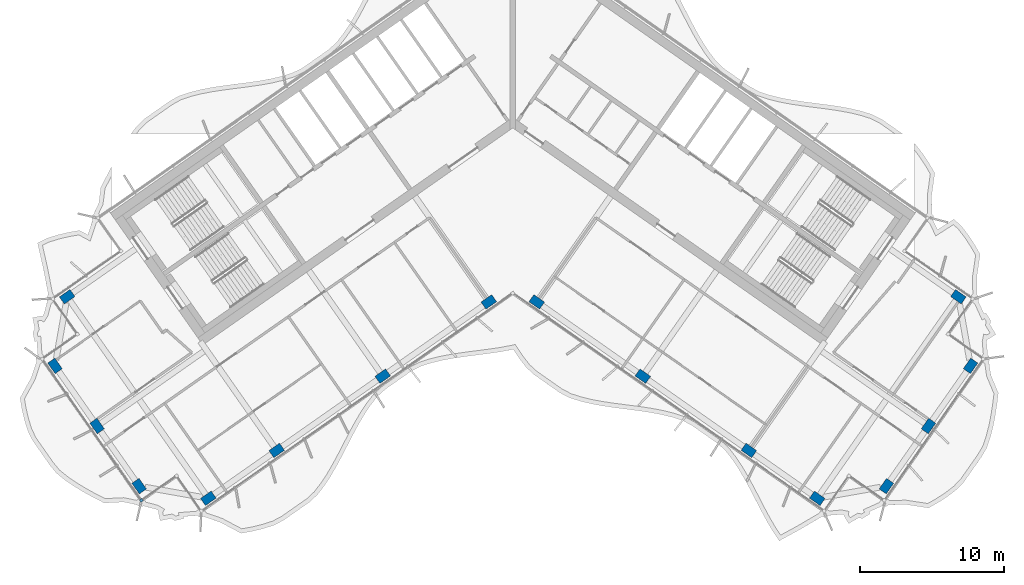
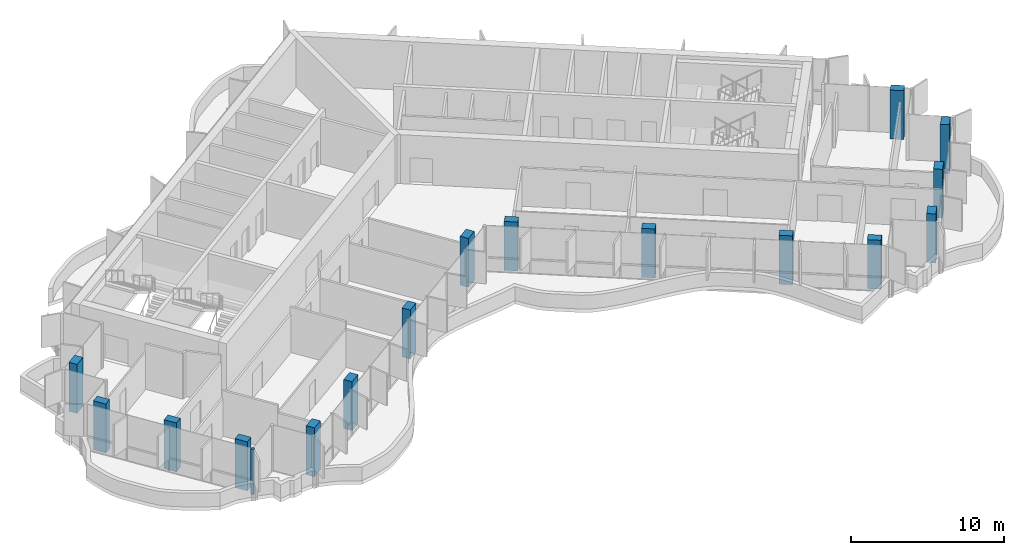
# One storey, part 1 of 20: 16 columns, 1 member, 1 element without a shape of its own.
"""IFC4 building model written with IfcOpenShell, lengths in metres."""

from ifc_helpers import new_model, si_unit, direction, frame, origin, origin_2d, place, context, subcontext, project, spatial, rectangle, extrude, material, material_profile, profile_set, type_object, element, aggregate, save


model = new_model("IFC4")

# Units and contexts
model_context = context("Model", 3, precision=1e-05, world=origin(), true_north=direction((0.0, 1.0)))
body_context = subcontext(model_context, "Body", "Model", "MODEL_VIEW")
ifc_project = project(units=[si_unit("LENGTHUNIT", "METRE"), si_unit("AREAUNIT", "SQUARE_METRE"), si_unit("VOLUMEUNIT", "CUBIC_METRE"), si_unit("PLANEANGLEUNIT", "RADIAN"), si_unit("MASSUNIT", "GRAM", prefix="KILO")], contexts=[model_context])

# Site, building, storey
site_placement = place(None, origin())
site = spatial("IfcSite", under=ifc_project, at=site_placement, CompositionType="ELEMENT")
building_placement = place(site_placement, origin())
building = spatial("IfcBuilding", under=site, at=building_placement, Name="Tel Ilan Convention Tower", CompositionType="ELEMENT")
storey_placement = place(building_placement, frame((0.0, 0.0, 237.10009765625)))
storey = spatial("IfcBuildingStorey", under=building, at=storey_placement, Name="L55", CompositionType="ELEMENT", Elevation=237.10009765625)

# Columns
ifc_material_1 = material(Name="Concrete C40/50", Category="concrete")
ifc_material_profile_1 = material_profile(ifc_material_1, rectangle(XDim=0.89990234375, YDim=0.60009765625, at=origin_2d()), Name="RC 600x900")
ifc_profile_set_1 = profile_set([ifc_material_profile_1], Name="Concrete C40/50")
column_type = type_object("IfcColumnType", Name="Column RC 600x900 C40/50", PredefinedType="COLUMN", material=ifc_profile_set_1)
for number, where, z_axis, x_axis, name in (
    (1, (-1.665283203125, -13.312744140625, 0.0), (0.0, 0.0, 1.0), (-0.819152044289, -0.573576436351, 0.0), "L55 column W-F1"),
    (2, (-9.03759765625, -18.474853515625, 0.0), (0.0, 0.0, 1.0), (-0.819152044289, -0.573576436351, 0.0), "L55 column W-F2"),
    (3, (-16.409912109375, -23.63720703125, 0.0), (0.0, 0.0, 1.0), (-0.819152044289, -0.573576436351, 0.0), "L55 column W-F3"),
    (4, (-21.1611328125, -26.9638671875, 0.0), (0.0, 0.0, 1.0), (-0.819152044289, -0.573576436351, 0.0), "L55 column W-FC"),
    (5, (-30.96923828125, -12.956298828125, 0.0), (0.0, 0.0, 1.0), (-0.819152044289, -0.573576436351, 0.0), "L55 column W-BC"),
    (6, (-25.966064453125, -26.11669921875, 0.0), (0.0, 0.0, 1.0), (-0.573576436351, 0.819152044289, 0.0), "L55 column W-E1"),
    (7, (-28.891357421875, -21.93896484375, 0.0), (0.0, 0.0, 1.0), (-0.573576436351, 0.819152044289, 0.0), "L55 column W-E2"),
    (8, (-31.81640625, -17.76123046875, 0.0), (0.0, 0.0, 1.0), (-0.573576436351, 0.819152044289, 0.0), "L55 column W-E3"),
    (9, (1.665283203125, -13.312744140625, 0.0), (0.0, 0.0, 1.0), (0.819152044289, -0.573576436351, 0.0), "L55 column E-F1"),
    (10, (9.03759765625, -18.474853515625, 0.0), (0.0, 0.0, 1.0), (0.819152044289, -0.573576436351, 0.0), "L55 column E-F2"),
    (11, (16.409912109375, -23.63720703125, 0.0), (0.0, 0.0, 1.0), (0.819152044289, -0.573576436351, 0.0), "L55 column E-F3"),
    (12, (21.1611328125, -26.9638671875, 0.0), (0.0, 0.0, 1.0), (0.819152044289, -0.573576436351, 0.0), "L55 column E-FC"),
    (13, (30.96923828125, -12.956298828125, 0.0), (0.0, 0.0, 1.0), (0.819152044289, -0.573576436351, 0.0), "L55 column E-BC"),
    (14, (25.966064453125, -26.11669921875, 0.0), (0.0, 0.0, 1.0), (0.573576436351, 0.819152044289, 0.0), "L55 column E-E1"),
    (15, (28.891357421875, -21.93896484375, 0.0), (0.0, 0.0, 1.0), (0.573576436351, 0.819152044289, 0.0), "L55 column E-E2"),
    (16, (31.81640625, -17.76123046875, 0.0), (0.0, 0.0, 1.0), (0.573576436351, 0.819152044289, 0.0), "L55 column E-E3"),
):
    element("IfcColumn", number, at=place(storey_placement, frame(where, z_axis=z_axis, x_axis=x_axis)), inside=storey, type_object=column_type, Name=name, PredefinedType="COLUMN", context=body_context, shape_type="SweptSolid", body=[
        extrude(rectangle(XDim=0.89990234375, YDim=0.60009765625, at=origin_2d()), origin(), (0.0, 0.0, 1.0), 3.89990234375),
    ])

# Curtain wall, member
ifc_material_2 = material(Name="Aluminium, bronze anodised", Category="aluminium")
curtain_wall_type = type_object("IfcCurtainWallType", Name="CW5 STICK CURTAIN WALL, UPPER OFFICE LOW-IRON TINTED GLASS", PredefinedType="NOTDEFINED", material=ifc_material_2)
curtain_wall_placement = place(storey_placement, origin())
curtain_wall = element("IfcCurtainWall", 17, at=curtain_wall_placement, inside=storey, type_object=curtain_wall_type, Name="Curtain wall CW5-42.02", PredefinedType="NOTDEFINED")
ifc_material_3 = material(Name="Aluminium, bronze anodised", Category="aluminium")
ifc_material_profile_2 = material_profile(ifc_material_3, rectangle(XDim=0.199951171875, YDim=0.199951171875, at=origin_2d()), Name="CW CORNER MULLION 200x200")
ifc_profile_set_2 = profile_set([ifc_material_profile_2], Name="Aluminium, bronze anodised")
member_type = type_object("IfcMemberType", Name="CW CORNER MULLION 200x200", PredefinedType="MULLION", material=ifc_profile_set_2)
member_placement = place(storey_placement, frame((-25.818359375, -27.112060546875, 0.0), z_axis=(0.0, 0.0, 1.0), x_axis=(0.573576436351, -0.819152044289, 0.0)))
member = element("IfcMember", 18, at=member_placement, type_object=member_type, Name="Corner mullion", PredefinedType="MULLION", context=body_context, shape_type="SweptSolid", body=[
    extrude(rectangle(XDim=0.199951171875, YDim=0.199951171875, at=origin_2d()), origin(), (0.0, 0.0, 1.0), 3.619873046875),
])
aggregate(curtain_wall, [member])

save(model, "model.ifc")
